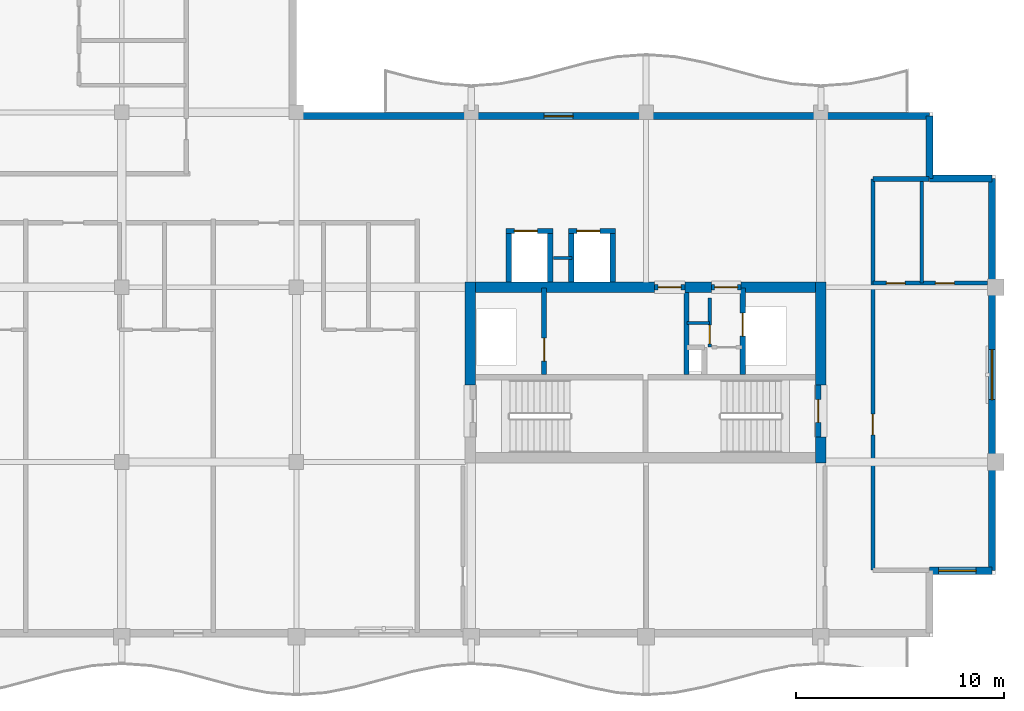
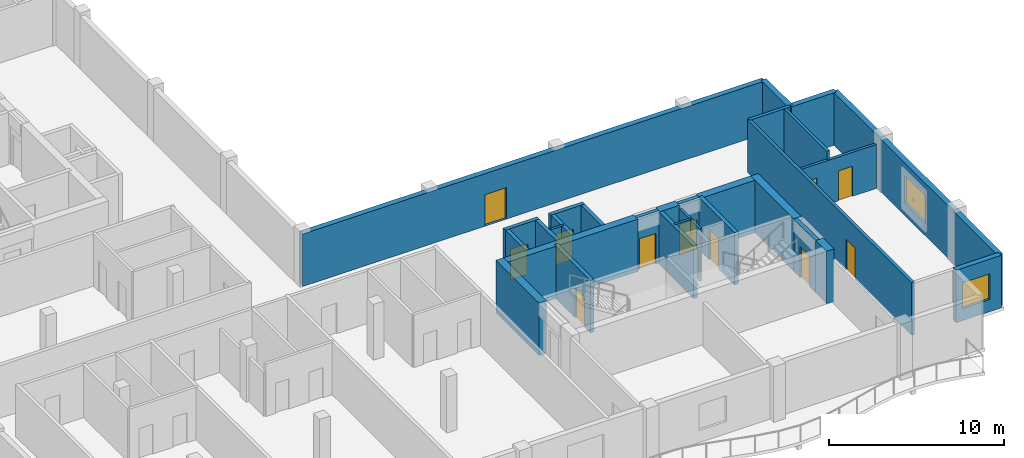
# One storey, part 7 of 15: 30 walls, 12 doors, 2 windows, 14 openings.
"""IFC4 building model written with IfcOpenShell, lengths in metres."""

from ifc_helpers import new_model, si_unit, direction, frame, frame_2d, origin, place, context, subcontext, project, spatial, rectangle, extrude, material, layer, layer_set, type_object, element, fill, save


model = new_model("IFC4")

# Units and contexts
model_context = context("Model", 3, precision=1e-05, world=origin(), true_north=direction((0.0, 1.0)))
body_context = subcontext(model_context, "Body", "Model", "MODEL_VIEW")
ifc_project = project(units=[si_unit("LENGTHUNIT", "METRE"), si_unit("AREAUNIT", "SQUARE_METRE"), si_unit("VOLUMEUNIT", "CUBIC_METRE"), si_unit("PLANEANGLEUNIT", "RADIAN"), si_unit("MASSUNIT", "GRAM", prefix="KILO")], contexts=[model_context])

# Site, building, storey
site_placement = place(None, origin())
site = spatial("IfcSite", under=ifc_project, at=site_placement, CompositionType="ELEMENT")
building_placement = place(site_placement, origin())
building = spatial("IfcBuilding", under=site, at=building_placement, Name="Koriwani Terraces Tower", CompositionType="ELEMENT")
storey_placement = place(building_placement, frame((0.0, 0.0, 300.800048828125)))
storey = spatial("IfcBuildingStorey", under=building, at=storey_placement, Name="L74", CompositionType="ELEMENT", Elevation=300.800048828125)

# Walls
ifc_material_1 = material(Name="Concrete C50/60", Category="concrete")
ifc_layer_1 = layer(ifc_material_1, 0.5, Name="Concrete C50/60")
ifc_layer_set_1 = layer_set([ifc_layer_1], Name="Concrete C50/60")
wall_type_1 = type_object("IfcWallType", Name="WALL_CORE_RC_500", PredefinedType="SHEAR", material=ifc_layer_set_1)
wall_1_placement = place(storey_placement, frame((41.949951171875, 20.5, 0.0), z_axis=(0.0, 0.0, 1.0), x_axis=(0.0, 1.0, 0.0)))
element("IfcWall", 1, at=wall_1_placement, inside=storey, type_object=wall_type_1, Name="L74 East Split Core Shear Wall W2", PredefinedType="SHEAR", context=body_context, shape_type="SweptSolid", body=[
    extrude(rectangle(XDim=4.949951171875, YDim=0.5, at=frame_2d((2.47509765625, 0.0))), origin(), (0.0, 0.0, 1.0), 3.669921875),
])
wall_2_placement = place(storey_placement, frame((58.800048828125, 16.75, 0.0), z_axis=(0.0, 0.0, 1.0), x_axis=(0.0, 1.0, 0.0)))
element("IfcWall", 2, at=wall_2_placement, inside=storey, type_object=wall_type_1, Name="L74 East Split Core Shear Wall E1", PredefinedType="SHEAR", context=body_context, shape_type="SweptSolid", body=[
    extrude(rectangle(XDim=1.25, YDim=0.5, at=frame_2d((0.625, 0.0))), origin(), (0.0, 0.0, 1.0), 3.669921875),
])
wall_3_placement = place(storey_placement, frame((58.800048828125, 20.5, 0.0), z_axis=(0.0, 0.0, 1.0), x_axis=(0.0, 1.0, 0.0)))
element("IfcWall", 3, at=wall_3_placement, inside=storey, type_object=wall_type_1, Name="L74 East Split Core Shear Wall E2", PredefinedType="SHEAR", context=body_context, shape_type="SweptSolid", body=[
    extrude(rectangle(XDim=4.949951171875, YDim=0.5, at=frame_2d((2.47509765625, 0.0))), origin(), (0.0, 0.0, 1.0), 3.669921875),
])
wall_4_placement = place(storey_placement, frame((42.199951171875, 25.199951171875, 0.0), z_axis=(0.0, 0.0, 1.0), x_axis=(1.0, 0.0, 0.0)))
element("IfcWall", 4, at=wall_4_placement, inside=storey, type_object=wall_type_1, Name="L74 East Split Core Shear Wall N1", PredefinedType="SHEAR", context=body_context, shape_type="SweptSolid", body=[
    extrude(rectangle(XDim=8.60009765625, YDim=0.5, at=frame_2d((4.300048828125, 0.0))), origin(), (0.0, 0.0, 1.0), 3.669921875),
])
wall_5_placement = place(storey_placement, frame((52.280029296875, 25.199951171875, 0.0), z_axis=(0.0, 0.0, 1.0), x_axis=(1.0, 0.0, 0.0)))
element("IfcWall", 5, at=wall_5_placement, inside=storey, type_object=wall_type_1, Name="L74 East Split Core Shear Wall N2", PredefinedType="SHEAR", context=body_context, shape_type="SweptSolid", body=[
    extrude(rectangle(XDim=1.27001953125, YDim=0.5, at=frame_2d((0.635009765625, 0.0))), origin(), (0.0, 0.0, 1.0), 3.669921875),
])
wall_6_placement = place(storey_placement, frame((54.949951171875, 25.199951171875, 0.0), z_axis=(0.0, 0.0, 1.0), x_axis=(1.0, 0.0, 0.0)))
element("IfcWall", 6, at=wall_6_placement, inside=storey, type_object=wall_type_1, Name="L74 East Split Core Shear Wall N3", PredefinedType="SHEAR", context=body_context, shape_type="SweptSolid", body=[
    extrude(rectangle(XDim=3.60009765625, YDim=0.5, at=frame_2d((1.800048828125, 0.0))), origin(), (0.0, 0.0, 1.0), 3.669921875),
])

# Wall, opening, door
ifc_material_2 = material(Name="Autoclaved Cellular Concrete Blockwork", Category="masonry")
ifc_layer_2 = layer(ifc_material_2, 0.199951171875, Name="Autoclaved Cellular Concrete Blockwork")
ifc_layer_set_2 = layer_set([ifc_layer_2], Name="Autoclaved Cellular Concrete Blockwork")
wall_type_2 = type_object("IfcWallType", Name="WALL_CORRIDOR_200", PredefinedType="PARTITIONING", material=ifc_layer_set_2)
wall_7_placement = place(storey_placement, frame((61.300048828125, 11.60009765625, 0.0), z_axis=(0.0, 0.0, 1.0), x_axis=(0.0, 1.0, 0.0)))
wall_7 = element("IfcWall", 7, at=wall_7_placement, inside=storey, type_object=wall_type_2, Name="L74 Interior Wall WET-W-L74", PredefinedType="PARTITIONING", context=body_context, shape_type="SweptSolid", body=[
    extrude(rectangle(XDim=18.7998046875, YDim=0.199951171875, at=frame_2d((9.39990234375, 0.0))), origin(), (0.0, 0.0, 1.0), 3.669921875),
])
opening_1_placement = place(wall_7_placement, frame((6.5, 0.0, 0.0)))
opening_1 = element("IfcOpeningElement", 8, at=opening_1_placement, cuts=wall_7, Name="Opening D-05", PredefinedType="OPENING", context=body_context, shape_type="SweptSolid", body=[
    extrude(rectangle(XDim=1.0, YDim=2.14990234375, at=frame_2d((0.5, 1.074951171875))), frame((0.0, 0.10986328125, 0.0), z_axis=(0.0, -1.0, 0.0), x_axis=(1.0, 0.0, 0.0)), (0.0, 0.0, 1.0), 0.219970703125),
])
ifc_material_3 = material(Name="Architectural Oak Fire Door", Category="wood")
door_type_1 = type_object("IfcDoorType", Name="DOOR_SUITE_ENTRY_1000X2150", OperationType="NOTDEFINED", PredefinedType="DOOR", material=ifc_material_3)
door_1_placement = place(opening_1_placement, origin())
door_1 = element("IfcDoor", 9, at=door_1_placement, inside=storey, type_object=door_type_1, Name="Apartment 74ET Entrance Door", OperationType="SINGLE_SWING_RIGHT", OverallHeight=2.14990234375, OverallWidth=1.0, PredefinedType="DOOR", context=body_context, shape_type="SweptSolid", body=[
    extrude(rectangle(XDim=1.0, YDim=2.14990234375, at=frame_2d((0.5, 1.074951171875))), frame((0.0, 0.02490234375, 0.0), z_axis=(0.0, -1.0, 0.0), x_axis=(1.0, 0.0, 0.0)), (0.0, 0.0, 1.0), 0.050048828125),
])
fill(opening_1, door_1)

# Wall
ifc_layer_3 = layer(ifc_material_2, 0.219970703125, Name="Autoclaved Cellular Concrete Blockwork")
ifc_layer_set_3 = layer_set([ifc_layer_3], Name="Autoclaved Cellular Concrete Blockwork")
wall_type_3 = type_object("IfcWallType", Name="WALL_DEMISING_220", PredefinedType="PARTITIONING", material=ifc_layer_set_3)
wall_8_placement = place(storey_placement, frame((61.300048828125, 30.39990234375, 0.0), z_axis=(0.0, 0.0, 1.0), x_axis=(1.0, 0.0, 0.0)))
element("IfcWall", 10, at=wall_8_placement, inside=storey, type_object=wall_type_3, Name="L74 Interior Wall WET-N-L74", PredefinedType="PARTITIONING", context=body_context, shape_type="SweptSolid", body=[
    extrude(rectangle(XDim=2.699951171875, YDim=0.219970703125, at=frame_2d((1.35009765625, 0.0))), origin(), (0.0, 0.0, 1.0), 3.669921875),
])

# Wall, opening, door
ifc_layer_4 = layer(ifc_material_1, 0.35009765625, Name="Concrete C50/60")
ifc_layer_set_4 = layer_set([ifc_layer_4], Name="Concrete C50/60")
wall_type_4 = type_object("IfcWallType", Name="WALL_EXT_BRUTALIST_350", PredefinedType="STANDARD", material=ifc_layer_set_4)
wall_9_placement = place(storey_placement, frame((33.425048828125, 33.425048828125, 0.0), z_axis=(0.0, 0.0, 1.0), x_axis=(1.0, 0.0, 0.0)))
wall_9 = element("IfcWall", 11, at=wall_9_placement, inside=storey, type_object=wall_type_4, Name="L74 Fair-Faced Brutalist Exterior Wall (NE)", PredefinedType="STANDARD", context=body_context, shape_type="SweptSolid", body=[
    extrude(rectangle(XDim=30.599853515625, YDim=0.35009765625, at=frame_2d((15.2998046875, 0.0))), origin(), (0.0, 0.0, 1.0), 3.669921875),
])
opening_2_placement = place(wall_9_placement, frame((12.074951171875, 0.0, 0.0)))
opening_2 = element("IfcOpeningElement", 12, at=opening_2_placement, cuts=wall_9, Name="Opening D-09", PredefinedType="OPENING", context=body_context, shape_type="SweptSolid", body=[
    extrude(rectangle(XDim=1.39990234375, YDim=2.199951171875, at=frame_2d((0.699951171875, 1.10009765625))), frame((0.0, 0.18505859375, 0.0), z_axis=(0.0, -1.0, 0.0), x_axis=(1.0, 0.0, 0.0)), (0.0, 0.0, 1.0), 0.3701171875),
])
ifc_material_4 = material(Name="Anodised Bronze Aluminium", Category="aluminium")
door_type_2 = type_object("IfcDoorType", Name="DOOR_BALCONY_GLAZED_1400X2200", OperationType="NOTDEFINED", PredefinedType="DOOR", material=ifc_material_4)
door_2_placement = place(opening_2_placement, origin())
door_2 = element("IfcDoor", 13, at=door_2_placement, inside=storey, type_object=door_type_2, Name="L74 Inner Court Balcony Glazed Door", OperationType="SINGLE_SWING_LEFT", OverallHeight=2.199951171875, OverallWidth=1.39990234375, PredefinedType="DOOR", context=body_context, shape_type="SweptSolid", body=[
    extrude(rectangle(XDim=1.39990234375, YDim=2.199951171875, at=frame_2d((0.699951171875, 1.10009765625))), frame((0.0, 0.02490234375, 0.0), z_axis=(0.0, -1.0, 0.0), x_axis=(1.0, 0.0, 0.0)), (0.0, 0.0, 1.0), 0.050048828125),
])
fill(opening_2, door_2)

# Walls
for number, where, z_axis, x_axis, name in (
    (14, (64.02490234375, 33.425048828125, 0.0), (0.0, 0.0, 1.0), (0.0, -1.0, 0.0), "L74 Fair-Faced Brutalist Exterior Wall (N10)"),
    (15, (64.02490234375, 30.425048828125, 0.0), (0.0, 0.0, 1.0), (1.0, 0.0, 0.0), "L74 Fair-Faced Brutalist Exterior Wall (N11)"),
):
    element("IfcWall", number, at=place(storey_placement, frame(where, z_axis=z_axis, x_axis=x_axis)), inside=storey, type_object=wall_type_4, Name=name, PredefinedType="STANDARD", context=body_context, shape_type="SweptSolid", body=[
        extrude(rectangle(XDim=3.0, YDim=0.35009765625, at=frame_2d((1.5, 0.0))), origin(), (0.0, 0.0, 1.0), 3.669921875),
    ])

# Wall, opening, window
wall_10_placement = place(storey_placement, frame((67.02490234375, 30.425048828125, 0.0), z_axis=(0.0, 0.0, 1.0), x_axis=(0.0, -1.0, 0.0)))
wall_10 = element("IfcWall", 16, at=wall_10_placement, inside=storey, type_object=wall_type_4, Name="L74 Fair-Faced Brutalist Exterior Wall (E_TIP)", PredefinedType="STANDARD", context=body_context, shape_type="SweptSolid", body=[
    extrude(rectangle(XDim=18.85009765625, YDim=0.35009765625, at=frame_2d((9.425048828125, 0.0))), origin(), (0.0, 0.0, 1.0), 3.669921875),
])
opening_3_placement = place(wall_10_placement, frame((8.22509765625, 0.0, 0.85009765625)))
opening_3 = element("IfcOpeningElement", 17, at=opening_3_placement, cuts=wall_10, Name="Opening W-03", PredefinedType="OPENING", context=body_context, shape_type="SweptSolid", body=[
    extrude(rectangle(XDim=2.39990234375, YDim=1.949951171875, at=frame_2d((1.199951171875, 0.97509765625))), frame((0.0, 0.18505859375, 0.0), z_axis=(0.0, -1.0, 0.0), x_axis=(1.0, 0.0, 0.0)), (0.0, 0.0, 1.0), 0.3701171875),
])
ifc_material_5 = material(Name="Tempered Laminated Low-E Glass", Category="glass")
window_type_1 = type_object("IfcWindowType", Name="WIN_RES_LIVING_2400X1950", PartitioningType="DOUBLE_PANEL_VERTICAL", PredefinedType="WINDOW", material=ifc_material_5)
window_1_placement = place(opening_3_placement, origin())
window_1 = element("IfcWindow", 18, at=window_1_placement, inside=storey, type_object=window_type_1, Name="L74 Exterior Window (E_TIP-3)", OverallHeight=1.949951171875, OverallWidth=2.39990234375, PartitioningType="SINGLE_PANEL", PredefinedType="WINDOW", context=body_context, shape_type="SweptSolid", body=[
    extrude(rectangle(XDim=2.39990234375, YDim=1.949951171875, at=frame_2d((1.199951171875, 0.97509765625))), frame((0.0, 0.030029296875, 0.0), z_axis=(0.0, -1.0, 0.0), x_axis=(1.0, 0.0, 0.0)), (0.0, 0.0, 1.0), 0.06005859375),
])
fill(opening_3, window_1)

wall_11_placement = place(storey_placement, frame((67.02490234375, 11.574951171875, 0.0), z_axis=(0.0, 0.0, 1.0), x_axis=(-1.0, 0.0, 0.0)))
wall_11 = element("IfcWall", 19, at=wall_11_placement, inside=storey, type_object=wall_type_4, Name="L74 Fair-Faced Brutalist Exterior Wall (N13)", PredefinedType="STANDARD", context=body_context, shape_type="SweptSolid", body=[
    extrude(rectangle(XDim=3.0, YDim=0.35009765625, at=frame_2d((1.5, 0.0))), origin(), (0.0, 0.0, 1.0), 3.669921875),
])
opening_4_placement = place(wall_11_placement, frame((0.762451171875, 0.0, 0.85009765625)))
opening_4 = element("IfcOpeningElement", 20, at=opening_4_placement, cuts=wall_11, Name="Opening W-04", PredefinedType="OPENING", context=body_context, shape_type="SweptSolid", body=[
    extrude(rectangle(XDim=1.800048828125, YDim=1.800048828125, at=frame_2d((0.89990234375, 0.89990234375))), frame((0.0, 0.18505859375, 0.0), z_axis=(0.0, -1.0, 0.0), x_axis=(1.0, 0.0, 0.0)), (0.0, 0.0, 1.0), 0.3701171875),
])
window_type_2 = type_object("IfcWindowType", Name="WIN_RES_BED_1800X1800", PartitioningType="DOUBLE_PANEL_VERTICAL", PredefinedType="WINDOW", material=ifc_material_5)
window_2_placement = place(opening_4_placement, origin())
window_2 = element("IfcWindow", 21, at=window_2_placement, inside=storey, type_object=window_type_2, Name="L74 Exterior Window (N13-R50)", OverallHeight=1.800048828125, OverallWidth=1.800048828125, PartitioningType="SINGLE_PANEL", PredefinedType="WINDOW", context=body_context, shape_type="SweptSolid", body=[
    extrude(rectangle(XDim=1.800048828125, YDim=1.800048828125, at=frame_2d((0.89990234375, 0.89990234375))), frame((0.0, 0.030029296875, 0.0), z_axis=(0.0, -1.0, 0.0), x_axis=(1.0, 0.0, 0.0)), (0.0, 0.0, 1.0), 0.06005859375),
])
fill(opening_4, window_2)

# Wall, openings, doors
ifc_material_6 = material(Name="Fire-Rated Acoustic Gypsum Partition", Category="masonry")
ifc_layer_5 = layer(ifc_material_6, 0.179931640625, Name="Fire-Rated Acoustic Gypsum Partition")
ifc_layer_set_5 = layer_set([ifc_layer_5], Name="Fire-Rated Acoustic Gypsum Partition")
wall_type_5 = type_object("IfcWallType", Name="WALL_PLUMBING_180", PredefinedType="PLUMBINGWALL", material=ifc_layer_set_5)
wall_12_placement = place(storey_placement, frame((61.300048828125, 25.39990234375, 0.0), z_axis=(0.0, 0.0, 1.0), x_axis=(1.0, 0.0, 0.0)))
wall_12 = element("IfcWall", 22, at=wall_12_placement, inside=storey, type_object=wall_type_5, Name="L74 Interior Wall WET-SVB-L74", PredefinedType="PLUMBINGWALL", context=body_context, shape_type="SweptSolid", body=[
    extrude(rectangle(XDim=5.5, YDim=0.179931640625, at=frame_2d((2.75, 0.0))), origin(), (0.0, 0.0, 1.0), 3.070068359375),
])
opening_5_placement = place(wall_12_placement, frame((0.64990234375, 0.0, 0.0)))
opening_5 = element("IfcOpeningElement", 23, at=opening_5_placement, cuts=wall_12, Name="Opening D-07", PredefinedType="OPENING", context=body_context, shape_type="SweptSolid", body=[
    extrude(rectangle(XDim=0.89990234375, YDim=2.10009765625, at=frame_2d((0.449951171875, 1.050048828125))), frame((0.0, 0.10009765625, 0.0), z_axis=(0.0, -1.0, 0.0), x_axis=(1.0, 0.0, 0.0)), (0.0, 0.0, 1.0), 0.199951171875),
])
opening_6_placement = place(wall_12_placement, frame((3.0, 0.0, 0.0)))
opening_6 = element("IfcOpeningElement", 24, at=opening_6_placement, cuts=wall_12, Name="Opening D-06", PredefinedType="OPENING", context=body_context, shape_type="SweptSolid", body=[
    extrude(rectangle(XDim=0.919921875, YDim=2.10009765625, at=frame_2d((0.4599609375, 1.050048828125))), frame((0.0, 0.10009765625, 0.0), z_axis=(0.0, -1.0, 0.0), x_axis=(1.0, 0.0, 0.0)), (0.0, 0.0, 1.0), 0.199951171875),
])
door_type_3 = type_object("IfcDoorType", Name="DOOR_BATH_INT_900X2100", OperationType="NOTDEFINED", PredefinedType="DOOR", material=ifc_material_3)
door_3_placement = place(opening_5_placement, origin())
door_3 = element("IfcDoor", 25, at=door_3_placement, inside=storey, type_object=door_type_3, Name="Apartment 74ET Bathroom Door", OperationType="SINGLE_SWING_LEFT", OverallHeight=2.10009765625, OverallWidth=0.89990234375, PredefinedType="DOOR", context=body_context, shape_type="SweptSolid", body=[
    extrude(rectangle(XDim=0.89990234375, YDim=2.10009765625, at=frame_2d((0.449951171875, 1.050048828125))), frame((0.0, 0.02490234375, 0.0), z_axis=(0.0, -1.0, 0.0), x_axis=(1.0, 0.0, 0.0)), (0.0, 0.0, 1.0), 0.050048828125),
])
fill(opening_5, door_3)
door_type_4 = type_object("IfcDoorType", Name="DOOR_ROOM_INT_920X2100", OperationType="NOTDEFINED", PredefinedType="DOOR", material=ifc_material_3)
door_4_placement = place(opening_6_placement, origin())
door_4 = element("IfcDoor", 26, at=door_4_placement, inside=storey, type_object=door_type_4, Name="Apartment 74ET Kitchen Door", OperationType="SINGLE_SWING_RIGHT", OverallHeight=2.10009765625, OverallWidth=0.919921875, PredefinedType="DOOR", context=body_context, shape_type="SweptSolid", body=[
    extrude(rectangle(XDim=0.919921875, YDim=2.10009765625, at=frame_2d((0.4599609375, 1.050048828125))), frame((0.0, 0.02490234375, 0.0), z_axis=(0.0, -1.0, 0.0), x_axis=(1.0, 0.0, 0.0)), (0.0, 0.0, 1.0), 0.050048828125),
])
fill(opening_6, door_4)

# Wall
wall_13_placement = place(storey_placement, frame((63.64990234375, 25.39990234375, 0.0), z_axis=(0.0, 0.0, 1.0), x_axis=(0.0, 1.0, 0.0)))
element("IfcWall", 27, at=wall_13_placement, inside=storey, type_object=wall_type_5, Name="L74 Interior Wall WET-SVCM-L74", PredefinedType="PLUMBINGWALL", context=body_context, shape_type="SweptSolid", body=[
    extrude(rectangle(XDim=5.0, YDim=0.179931640625, at=frame_2d((2.5, 0.0))), origin(), (0.0, 0.0, 1.0), 3.669921875),
])

# Wall, opening, door
ifc_material_7 = material(Name="Concrete C40/50", Category="concrete")
ifc_layer_6 = layer(ifc_material_7, 0.25, Name="Concrete C40/50")
ifc_layer_set_6 = layer_set([ifc_layer_6], Name="Concrete C40/50")
wall_type_6 = type_object("IfcWallType", Name="WALL_SHAFT_RATED_250", PredefinedType="SOLIDWALL", material=ifc_layer_set_6)
wall_14_placement = place(storey_placement, frame((58.675048828125, 18.0, 0.0), z_axis=(0.0, 0.0, 1.0), x_axis=(0.0, 1.0, 0.0)))
wall_14 = element("IfcWall", 28, at=wall_14_placement, inside=storey, type_object=wall_type_6, Name="L74 Interior Wall WIN-CE-L74-STE", PredefinedType="SOLIDWALL", context=body_context, shape_type="SweptSolid", body=[
    extrude(rectangle(XDim=2.5, YDim=0.25, at=frame_2d((1.25, 0.0))), origin(), (0.0, 0.0, 1.0), 3.669921875),
])
opening_7_placement = place(wall_14_placement, frame((0.699951171875, 0.0, 0.0)))
opening_7 = element("IfcOpeningElement", 29, at=opening_7_placement, cuts=wall_14, Name="Opening D-03", PredefinedType="OPENING", context=body_context, shape_type="SweptSolid", body=[
    extrude(rectangle(XDim=1.10009765625, YDim=2.14990234375, at=frame_2d((0.550048828125, 1.074951171875))), frame((0.0, 0.135009765625, 0.0), z_axis=(0.0, -1.0, 0.0), x_axis=(1.0, 0.0, 0.0)), (0.0, 0.0, 1.0), 0.27001953125),
])
ifc_material_8 = material(Name="Steel ASTM A572 Grade 50", Category="steel")
door_type_5 = type_object("IfcDoorType", Name="DOOR_STAIR_FIRE_1100X2150", OperationType="NOTDEFINED", PredefinedType="DOOR", material=ifc_material_8)
door_5_placement = place(opening_7_placement, origin())
door_5 = element("IfcDoor", 30, at=door_5_placement, inside=storey, type_object=door_type_5, Name="L74 Exit Stair ST-E2 Door", OperationType="SINGLE_SWING_RIGHT", OverallHeight=2.14990234375, OverallWidth=1.10009765625, PredefinedType="DOOR", context=body_context, shape_type="SweptSolid", body=[
    extrude(rectangle(XDim=1.10009765625, YDim=2.14990234375, at=frame_2d((0.550048828125, 1.074951171875))), frame((0.0, 0.02490234375, 0.0), z_axis=(0.0, -1.0, 0.0), x_axis=(1.0, 0.0, 0.0)), (0.0, 0.0, 1.0), 0.050048828125),
])
fill(opening_7, door_5)

wall_15_placement = place(storey_placement, frame((45.5, 21.0, 0.0), z_axis=(0.0, 0.0, 1.0), x_axis=(0.0, 1.0, 0.0)))
wall_15 = element("IfcWall", 31, at=wall_15_placement, inside=storey, type_object=wall_type_6, Name="L74 Interior Wall WIN-CE-L74-FE", PredefinedType="SOLIDWALL", context=body_context, shape_type="SweptSolid", body=[
    extrude(rectangle(XDim=4.14990234375, YDim=0.25, at=frame_2d((2.074951171875, 0.0))), origin(), (0.0, 0.0, 1.0), 3.669921875),
])
opening_8_placement = place(wall_15_placement, frame((0.64990234375, 0.0, 0.0)))
opening_8 = element("IfcOpeningElement", 32, at=opening_8_placement, cuts=wall_15, Name="Opening LD-01", PredefinedType="OPENING", context=body_context, shape_type="SweptSolid", body=[
    extrude(rectangle(XDim=1.10009765625, YDim=2.14990234375, at=frame_2d((0.550048828125, 1.074951171875))), frame((0.0, 0.135009765625, 0.0), z_axis=(0.0, -1.0, 0.0), x_axis=(1.0, 0.0, 0.0)), (0.0, 0.0, 1.0), 0.27001953125),
])
door_type_6 = type_object("IfcDoorType", Name="DOOR_LIFT_LANDING_1100X2200", OperationType="NOTDEFINED", PredefinedType="DOOR", material=ifc_material_8)
door_6_placement = place(opening_8_placement, origin())
door_6 = element("IfcDoor", 33, at=door_6_placement, inside=storey, type_object=door_type_6, Name="L74 Firefighting Lift FE-02 Landing Door", OperationType="SLIDING_TO_LEFT", OverallHeight=2.14990234375, OverallWidth=1.10009765625, PredefinedType="DOOR", context=body_context, shape_type="SweptSolid", body=[
    extrude(rectangle(XDim=1.10009765625, YDim=2.14990234375, at=frame_2d((0.550048828125, 1.074951171875))), frame((0.0, 0.02490234375, 0.0), z_axis=(0.0, -1.0, 0.0), x_axis=(1.0, 0.0, 0.0)), (0.0, 0.0, 1.0), 0.050048828125),
])
fill(opening_8, door_6)

wall_16_placement = place(storey_placement, frame((50.800048828125, 25.199951171875, 0.0), z_axis=(0.0, 0.0, 1.0), x_axis=(1.0, 0.0, 0.0)))
wall_16 = element("IfcWall", 34, at=wall_16_placement, inside=storey, type_object=wall_type_6, Name="L74 Interior Wall WIN-CE-L74-NP", PredefinedType="SOLIDWALL", context=body_context, shape_type="SweptSolid", body=[
    extrude(rectangle(XDim=1.47998046875, YDim=0.25, at=frame_2d((0.739990234375, 0.0))), origin(), (0.0, 0.0, 1.0), 3.669921875),
])
opening_9_placement = place(wall_16_placement, frame((0.179931640625, 0.0, 0.0)))
opening_9 = element("IfcOpeningElement", 35, at=opening_9_placement, cuts=wall_16, Name="Opening D-03", PredefinedType="OPENING", context=body_context, shape_type="SweptSolid", body=[
    extrude(rectangle(XDim=1.10009765625, YDim=2.14990234375, at=frame_2d((0.550048828125, 1.074951171875))), frame((0.0, 0.135009765625, 0.0), z_axis=(0.0, -1.0, 0.0), x_axis=(1.0, 0.0, 0.0)), (0.0, 0.0, 1.0), 0.27001953125),
])
door_7_placement = place(opening_9_placement, origin())
door_7 = element("IfcDoor", 36, at=door_7_placement, inside=storey, type_object=door_type_5, Name="L74 East Firefighting Lobby Door", OperationType="SINGLE_SWING_LEFT", OverallHeight=2.14990234375, OverallWidth=1.10009765625, PredefinedType="DOOR", context=body_context, shape_type="SweptSolid", body=[
    extrude(rectangle(XDim=1.10009765625, YDim=2.14990234375, at=frame_2d((0.550048828125, 1.074951171875))), frame((0.0, 0.02490234375, 0.0), z_axis=(0.0, -1.0, 0.0), x_axis=(1.0, 0.0, 0.0)), (0.0, 0.0, 1.0), 0.050048828125),
])
fill(opening_9, door_7)

# Wall
wall_17_placement = place(storey_placement, frame((52.340087890625, 21.0, 0.0), z_axis=(0.0, 0.0, 1.0), x_axis=(0.0, 1.0, 0.0)))
element("IfcWall", 37, at=wall_17_placement, inside=storey, type_object=wall_type_6, Name="L74 Interior Wall WIN-CE-L74-FFE", PredefinedType="SOLIDWALL", context=body_context, shape_type="SweptSolid", body=[
    extrude(rectangle(XDim=3.949951171875, YDim=0.25, at=frame_2d((1.97509765625, 0.0))), origin(), (0.0, 0.0, 1.0), 3.669921875),
])

# Wall, opening, door
wall_18_placement = place(storey_placement, frame((55.050048828125, 21.0, 0.0), z_axis=(0.0, 0.0, 1.0), x_axis=(0.0, 1.0, 0.0)))
wall_18 = element("IfcWall", 38, at=wall_18_placement, inside=storey, type_object=wall_type_6, Name="L74 Interior Wall WIN-CE-L74-SE", PredefinedType="SOLIDWALL", context=body_context, shape_type="SweptSolid", body=[
    extrude(rectangle(XDim=4.14990234375, YDim=0.25, at=frame_2d((2.074951171875, 0.0))), origin(), (0.0, 0.0, 1.0), 3.669921875),
])
opening_10_placement = place(wall_18_placement, frame((1.85009765625, 0.0, 0.0)))
opening_10 = element("IfcOpeningElement", 39, at=opening_10_placement, cuts=wall_18, Name="Opening LD-01", PredefinedType="OPENING", context=body_context, shape_type="SweptSolid", body=[
    extrude(rectangle(XDim=1.10009765625, YDim=2.14990234375, at=frame_2d((0.550048828125, 1.074951171875))), frame((0.0, 0.135009765625, 0.0), z_axis=(0.0, -1.0, 0.0), x_axis=(1.0, 0.0, 0.0)), (0.0, 0.0, 1.0), 0.27001953125),
])
door_8_placement = place(opening_10_placement, origin())
door_8 = element("IfcDoor", 40, at=door_8_placement, inside=storey, type_object=door_type_6, Name="L74 Goods Lift SE-02 Landing Door", OperationType="SLIDING_TO_LEFT", OverallHeight=2.14990234375, OverallWidth=1.10009765625, PredefinedType="DOOR", context=body_context, shape_type="SweptSolid", body=[
    extrude(rectangle(XDim=1.10009765625, YDim=2.14990234375, at=frame_2d((0.550048828125, 1.074951171875))), frame((0.0, 0.02490234375, 0.0), z_axis=(0.0, -1.0, 0.0), x_axis=(1.0, 0.0, 0.0)), (0.0, 0.0, 1.0), 0.050048828125),
])
fill(opening_10, door_8)

wall_19_placement = place(storey_placement, frame((53.550048828125, 25.199951171875, 0.0), z_axis=(0.0, 0.0, 1.0), x_axis=(1.0, 0.0, 0.0)))
wall_19 = element("IfcWall", 41, at=wall_19_placement, inside=storey, type_object=wall_type_6, Name="L74 Interior Wall WIN-CE-L74-NP2", PredefinedType="SOLIDWALL", context=body_context, shape_type="SweptSolid", body=[
    extrude(rectangle(XDim=1.39990234375, YDim=0.25, at=frame_2d((0.699951171875, 0.0))), origin(), (0.0, 0.0, 1.0), 3.669921875),
])
opening_11_placement = place(wall_19_placement, frame((0.14990234375, 0.0, 0.0)))
opening_11 = element("IfcOpeningElement", 42, at=opening_11_placement, cuts=wall_19, Name="Opening D-03", PredefinedType="OPENING", context=body_context, shape_type="SweptSolid", body=[
    extrude(rectangle(XDim=1.10009765625, YDim=2.14990234375, at=frame_2d((0.550048828125, 1.074951171875))), frame((0.0, 0.135009765625, 0.0), z_axis=(0.0, -1.0, 0.0), x_axis=(1.0, 0.0, 0.0)), (0.0, 0.0, 1.0), 0.27001953125),
])
door_9_placement = place(opening_11_placement, origin())
door_9 = element("IfcDoor", 43, at=door_9_placement, inside=storey, type_object=door_type_5, Name="L74 East Goods Lift Lobby Door", OperationType="SINGLE_SWING_RIGHT", OverallHeight=2.14990234375, OverallWidth=1.10009765625, PredefinedType="DOOR", context=body_context, shape_type="SweptSolid", body=[
    extrude(rectangle(XDim=1.10009765625, YDim=2.14990234375, at=frame_2d((0.550048828125, 1.074951171875))), frame((0.0, 0.02490234375, 0.0), z_axis=(0.0, -1.0, 0.0), x_axis=(1.0, 0.0, 0.0)), (0.0, 0.0, 1.0), 0.050048828125),
])
fill(opening_11, door_9)

wall_20_placement = place(storey_placement, frame((43.675048828125, 27.89990234375, 0.0), z_axis=(0.0, 0.0, 1.0), x_axis=(1.0, 0.0, 0.0)))
wall_20 = element("IfcWall", 44, at=wall_20_placement, inside=storey, type_object=wall_type_6, Name="L74 Interior Wall WIN-LF-PE-H3-L74-F", PredefinedType="SOLIDWALL", context=body_context, shape_type="SweptSolid", body=[
    extrude(rectangle(XDim=2.25, YDim=0.25, at=frame_2d((1.125, 0.0))), origin(), (0.0, 0.0, 1.0), 3.669921875),
])
opening_12_placement = place(wall_20_placement, frame((0.39990234375, 0.0, 0.0)))
opening_12 = element("IfcOpeningElement", 45, at=opening_12_placement, cuts=wall_20, Name="Opening LD-01", PredefinedType="OPENING", context=body_context, shape_type="SweptSolid", body=[
    extrude(rectangle(XDim=1.10009765625, YDim=2.14990234375, at=frame_2d((0.550048828125, 1.074951171875))), frame((0.0, 0.135009765625, 0.0), z_axis=(0.0, -1.0, 0.0), x_axis=(1.0, 0.0, 0.0)), (0.0, 0.0, 1.0), 0.27001953125),
])
door_10_placement = place(opening_12_placement, origin())
door_10 = element("IfcDoor", 46, at=door_10_placement, inside=storey, type_object=door_type_6, Name="L74 Passenger Lift PE-H3 Landing Door", OperationType="SLIDING_TO_LEFT", OverallHeight=2.14990234375, OverallWidth=1.10009765625, PredefinedType="DOOR", context=body_context, shape_type="SweptSolid", body=[
    extrude(rectangle(XDim=1.10009765625, YDim=2.14990234375, at=frame_2d((0.550048828125, 1.074951171875))), frame((0.0, 0.02490234375, 0.0), z_axis=(0.0, -1.0, 0.0), x_axis=(1.0, 0.0, 0.0)), (0.0, 0.0, 1.0), 0.050048828125),
])
fill(opening_12, door_10)

# Walls
for number, where, z_axis, x_axis, name in (
    (47, (43.800048828125, 25.449951171875, 0.0), (0.0, 0.0, 1.0), (0.0, 1.0, 0.0), "L74 Interior Wall WIN-LF-PE-H3-L74-W"),
    (48, (45.800048828125, 25.449951171875, 0.0), (0.0, 0.0, 1.0), (0.0, 1.0, 0.0), "L74 Interior Wall WIN-LF-PE-H3-L74-E"),
):
    element("IfcWall", number, at=place(storey_placement, frame(where, z_axis=z_axis, x_axis=x_axis)), inside=storey, type_object=wall_type_6, Name=name, PredefinedType="SOLIDWALL", context=body_context, shape_type="SweptSolid", body=[
        extrude(rectangle(XDim=2.324951171875, YDim=0.25, at=frame_2d((1.16259765625, 0.0))), origin(), (0.0, 0.0, 1.0), 3.669921875),
    ])

# Wall, opening, door
wall_21_placement = place(storey_placement, frame((46.675048828125, 27.89990234375, 0.0), z_axis=(0.0, 0.0, 1.0), x_axis=(1.0, 0.0, 0.0)))
wall_21 = element("IfcWall", 49, at=wall_21_placement, inside=storey, type_object=wall_type_6, Name="L74 Interior Wall WIN-LF-PE-H4-L74-F", PredefinedType="SOLIDWALL", context=body_context, shape_type="SweptSolid", body=[
    extrude(rectangle(XDim=2.25, YDim=0.25, at=frame_2d((1.125, 0.0))), origin(), (0.0, 0.0, 1.0), 3.669921875),
])
opening_13_placement = place(wall_21_placement, frame((0.39990234375, 0.0, 0.0)))
opening_13 = element("IfcOpeningElement", 50, at=opening_13_placement, cuts=wall_21, Name="Opening LD-01", PredefinedType="OPENING", context=body_context, shape_type="SweptSolid", body=[
    extrude(rectangle(XDim=1.10009765625, YDim=2.14990234375, at=frame_2d((0.550048828125, 1.074951171875))), frame((0.0, 0.135009765625, 0.0), z_axis=(0.0, -1.0, 0.0), x_axis=(1.0, 0.0, 0.0)), (0.0, 0.0, 1.0), 0.27001953125),
])
door_11_placement = place(opening_13_placement, origin())
door_11 = element("IfcDoor", 51, at=door_11_placement, inside=storey, type_object=door_type_6, Name="L74 Passenger Lift PE-H4 Landing Door", OperationType="SLIDING_TO_LEFT", OverallHeight=2.14990234375, OverallWidth=1.10009765625, PredefinedType="DOOR", context=body_context, shape_type="SweptSolid", body=[
    extrude(rectangle(XDim=1.10009765625, YDim=2.14990234375, at=frame_2d((0.550048828125, 1.074951171875))), frame((0.0, 0.02490234375, 0.0), z_axis=(0.0, -1.0, 0.0), x_axis=(1.0, 0.0, 0.0)), (0.0, 0.0, 1.0), 0.050048828125),
])
fill(opening_13, door_11)

# Walls
for number, where, z_axis, x_axis, name in (
    (52, (46.800048828125, 25.449951171875, 0.0), (0.0, 0.0, 1.0), (0.0, 1.0, 0.0), "L74 Interior Wall WIN-LF-PE-H4-L74-W"),
    (53, (48.800048828125, 25.449951171875, 0.0), (0.0, 0.0, 1.0), (0.0, 1.0, 0.0), "L74 Interior Wall WIN-LF-PE-H4-L74-E"),
):
    element("IfcWall", number, at=place(storey_placement, frame(where, z_axis=z_axis, x_axis=x_axis)), inside=storey, type_object=wall_type_6, Name=name, PredefinedType="SOLIDWALL", context=body_context, shape_type="SweptSolid", body=[
        extrude(rectangle(XDim=2.324951171875, YDim=0.25, at=frame_2d((1.16259765625, 0.0))), origin(), (0.0, 0.0, 1.0), 3.669921875),
    ])

# Wall, opening, door
ifc_layer_7 = layer(ifc_material_6, 0.159912109375, Name="Fire-Rated Acoustic Gypsum Partition")
ifc_layer_set_7 = layer_set([ifc_layer_7], Name="Fire-Rated Acoustic Gypsum Partition")
wall_type_7 = type_object("IfcWallType", Name="WALL_SUITE_160", PredefinedType="PARTITIONING", material=ifc_layer_set_7)
wall_22_placement = place(storey_placement, frame((53.4599609375, 22.320068359375, 0.0), z_axis=(0.0, 0.0, 1.0), x_axis=(0.0, 1.0, 0.0)))
wall_22 = element("IfcWall", 54, at=wall_22_placement, inside=storey, type_object=wall_type_7, Name="L74 Interior Wall WIN-CE-L74-SV2H", PredefinedType="PARTITIONING", context=body_context, shape_type="SweptSolid", body=[
    extrude(rectangle(XDim=2.35986328125, YDim=0.159912109375, at=frame_2d((1.179931640625, 0.0))), origin(), (0.0, 0.0, 1.0), 3.669921875),
])
opening_14_placement = place(wall_22_placement, frame((0.159912109375, 0.0, 0.0)))
opening_14 = element("IfcOpeningElement", 55, at=opening_14_placement, cuts=wall_22, Name="Opening D-07", PredefinedType="OPENING", context=body_context, shape_type="SweptSolid", body=[
    extrude(rectangle(XDim=0.89990234375, YDim=2.10009765625, at=frame_2d((0.449951171875, 1.050048828125))), frame((0.0, 0.08984375, 0.0), z_axis=(0.0, -1.0, 0.0), x_axis=(1.0, 0.0, 0.0)), (0.0, 0.0, 1.0), 0.179931640625),
])
door_12_placement = place(opening_14_placement, origin())
door_12 = element("IfcDoor", 56, at=door_12_placement, inside=storey, type_object=door_type_3, Name="L74 East Valve Room Door", OperationType="SINGLE_SWING_RIGHT", OverallHeight=2.10009765625, OverallWidth=0.89990234375, PredefinedType="DOOR", context=body_context, shape_type="SweptSolid", body=[
    extrude(rectangle(XDim=0.89990234375, YDim=2.10009765625, at=frame_2d((0.449951171875, 1.050048828125))), frame((0.0, 0.02490234375, 0.0), z_axis=(0.0, -1.0, 0.0), x_axis=(1.0, 0.0, 0.0)), (0.0, 0.0, 1.0), 0.050048828125),
])
fill(opening_14, door_12)

# Walls
wall_23_placement = place(storey_placement, frame((52.360107421875, 23.47998046875, 0.0), z_axis=(0.0, 0.0, 1.0), x_axis=(1.0, 0.0, 0.0)))
element("IfcWall", 57, at=wall_23_placement, inside=storey, type_object=wall_type_7, Name="L74 Interior Wall WIN-CE-L74-SV2V", PredefinedType="PARTITIONING", context=body_context, shape_type="SweptSolid", body=[
    extrude(rectangle(XDim=1.099853515625, YDim=0.159912109375, at=frame_2d((0.5498046875, 0.0))), origin(), (0.0, 0.0, 1.0), 3.669921875),
])
wall_24_placement = place(storey_placement, frame((45.9599609375, 26.60009765625, 0.0), z_axis=(0.0, 0.0, 1.0), x_axis=(1.0, 0.0, 0.0)))
element("IfcWall", 58, at=wall_24_placement, inside=storey, type_object=wall_type_7, Name="L74 Interior Wall WIN-LF-PEH34-MID-L74", PredefinedType="PARTITIONING", context=body_context, shape_type="SweptSolid", body=[
    extrude(rectangle(XDim=0.880126953125, YDim=0.159912109375, at=frame_2d((0.43994140625, 0.0))), origin(), (0.0, 0.0, 1.0), 3.669921875),
])

save(model, "model.ifc")
